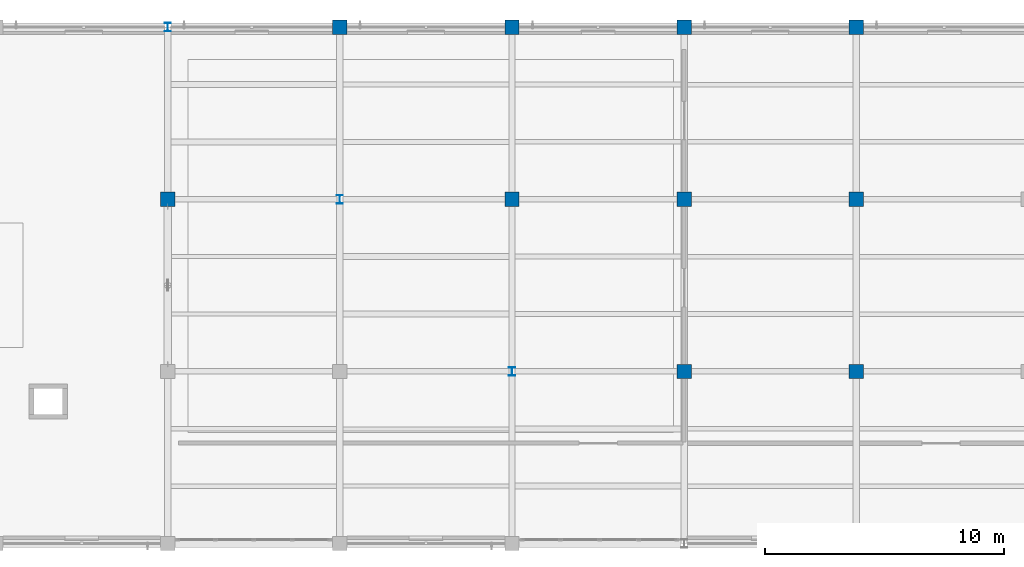
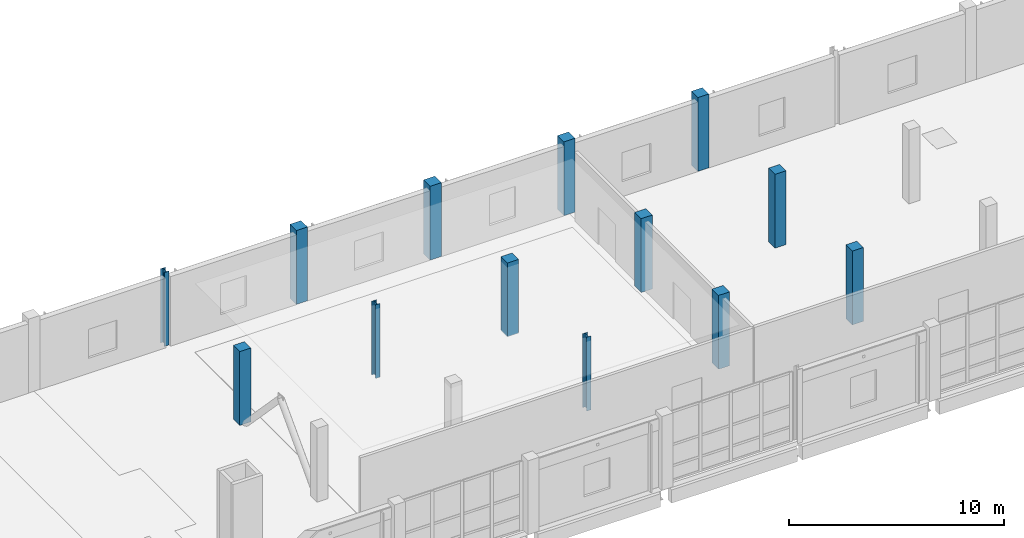
# One storey, part 14 of 94: 13 columns.
"""IFC4 building model written with IfcOpenShell, lengths in metres."""

from ifc_helpers import new_model, si_unit, direction, frame, origin, origin_2d, place, context, subcontext, project, spatial, rectangle, i_section, extrude, material, material_profile, profile_set, type_object, element, save


model = new_model("IFC4")

# Units and contexts
model_context = context("Model", 3, precision=1e-05, world=origin(), true_north=direction((0.0, 1.0)))
body_context = subcontext(model_context, "Body", "Model", "MODEL_VIEW")
ifc_project = project(units=[si_unit("LENGTHUNIT", "METRE"), si_unit("AREAUNIT", "SQUARE_METRE"), si_unit("VOLUMEUNIT", "CUBIC_METRE"), si_unit("PLANEANGLEUNIT", "RADIAN"), si_unit("MASSUNIT", "GRAM", prefix="KILO")], contexts=[model_context])

# Site, building, storey
site_placement = place(None, origin())
site = spatial("IfcSite", under=ifc_project, at=site_placement, CompositionType="ELEMENT")
building_placement = place(site_placement, origin())
building = spatial("IfcBuilding", under=site, at=building_placement, Name="Kalmorath City Hall", CompositionType="ELEMENT")
storey_placement = place(building_placement, frame((0.0, 0.0, 14.699951171875)))
storey = spatial("IfcBuildingStorey", under=building, at=storey_placement, Name="L03", CompositionType="ELEMENT", Elevation=14.699951171875)

# Columns
ifc_material_1 = material(Name="Concrete C50/60", Category="concrete")
ifc_material_profile_1 = material_profile(ifc_material_1, rectangle(XDim=0.60009765625, YDim=0.60009765625, at=origin_2d()), Name="RC-COL-600X600")
ifc_profile_set_1 = profile_set([ifc_material_profile_1], Name="Concrete C50/60")
column_type_1 = type_object("IfcColumnType", Name="Concrete column 600x600", PredefinedType="COLUMN", material=ifc_profile_set_1)
for number, where, z_axis, x_axis, name in (
    (1, (64.800048828125, 108.0, 0.0), (0.0, 0.0, 1.0), (1.0, 0.0, 0.0), "L03 column C6 (10/16)"),
    (2, (72.0, 115.199951171875, 0.0), (0.0, 0.0, 1.0), (1.0, 0.0, 0.0), "L03 column C6 (11/17)"),
    (3, (79.199951171875, 108.0, 0.0), (0.0, 0.0, 1.0), (1.0, 0.0, 0.0), "L03 column C6 (12/16)"),
    (4, (79.199951171875, 115.199951171875, 0.0), (0.0, 0.0, 1.0), (1.0, 0.0, 0.0), "L03 column C6 (12/17)"),
    (5, (86.39990234375, 100.800048828125, 0.0), (0.0, 0.0, 1.0), (1.0, 0.0, 0.0), "L03 column C6 (13/15)"),
    (6, (86.39990234375, 108.0, 0.0), (0.0, 0.0, 1.0), (1.0, 0.0, 0.0), "L03 column C6 (13/16)"),
    (7, (86.39990234375, 115.199951171875, 0.0), (0.0, 0.0, 1.0), (1.0, 0.0, 0.0), "L03 column C6 (13/17)"),
    (8, (93.60009765625, 100.800048828125, 0.0), (0.0, 0.0, 1.0), (1.0, 0.0, 0.0), "L03 column C6 (14/15)"),
    (9, (93.60009765625, 108.0, 0.0), (0.0, 0.0, 1.0), (1.0, 0.0, 0.0), "L03 column C6 (14/16)"),
    (10, (93.60009765625, 115.199951171875, 0.0), (0.0, 0.0, 1.0), (1.0, 0.0, 0.0), "L03 column C6 (14/17)"),
):
    element("IfcColumn", number, at=place(storey_placement, frame(where, z_axis=z_axis, x_axis=x_axis)), inside=storey, type_object=column_type_1, Name=name, PredefinedType="COLUMN", context=body_context, shape_type="SweptSolid", body=[
        extrude(rectangle(XDim=0.60009765625, YDim=0.60009765625, at=origin_2d()), origin(), (0.0, 0.0, 1.0), 4.199951171875),
    ])
ifc_material_2 = material(Name="Steel ASTM A992 Grade 50", Category="steel")
ifc_material_profile_2 = material_profile(ifc_material_2, i_section(OverallWidth=0.25390625, OverallDepth=0.35302734375, WebThickness=0.009521484375, FlangeThickness=0.016357421875, FilletRadius=0.014892578125, at=origin_2d()), Name="W14X61")
ifc_profile_set_2 = profile_set([ifc_material_profile_2], Name="Steel ASTM A992 Grade 50")
column_type_2 = type_object("IfcColumnType", Name="Steel wide-flange column W14X61", PredefinedType="COLUMN", material=ifc_profile_set_2)
for number, where, z_axis, x_axis, name in (
    (11, (64.800048828125, 115.199951171875, 0.0), (0.0, 0.0, 1.0), (1.0, 0.0, 0.0), "L03 column SC1 (10/17)"),
    (12, (72.0, 108.0, 0.0), (0.0, 0.0, 1.0), (1.0, 0.0, 0.0), "L03 column SC1 (11/16)"),
    (13, (79.199951171875, 100.800048828125, 0.0), (0.0, 0.0, 1.0), (1.0, 0.0, 0.0), "L03 column SC1 (12/15)"),
):
    element("IfcColumn", number, at=place(storey_placement, frame(where, z_axis=z_axis, x_axis=x_axis)), inside=storey, type_object=column_type_2, Name=name, PredefinedType="COLUMN", context=body_context, shape_type="SweptSolid", body=[
        extrude(i_section(OverallWidth=0.25390625, OverallDepth=0.35302734375, WebThickness=0.009521484375, FlangeThickness=0.016357421875, FilletRadius=0.014892578125, at=origin_2d()), origin(), (0.0, 0.0, 1.0), 4.199951171875),
    ])

save(model, "model.ifc")
